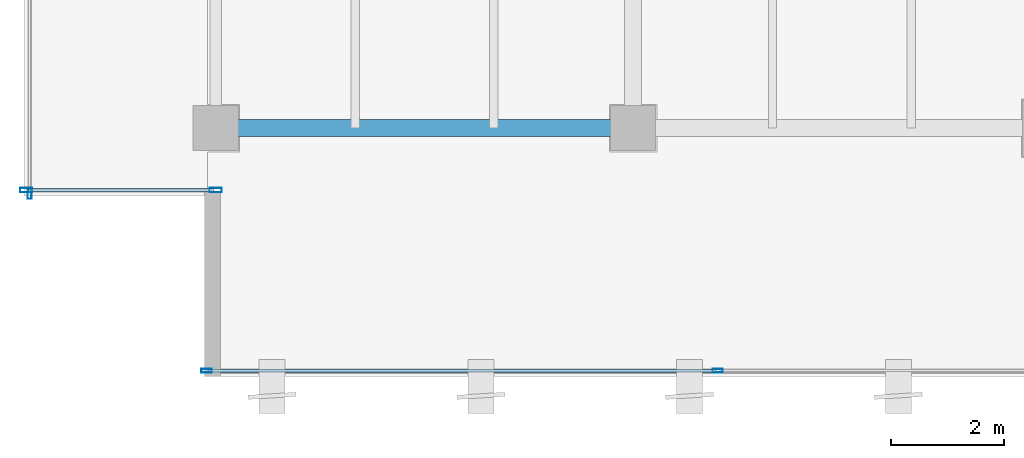
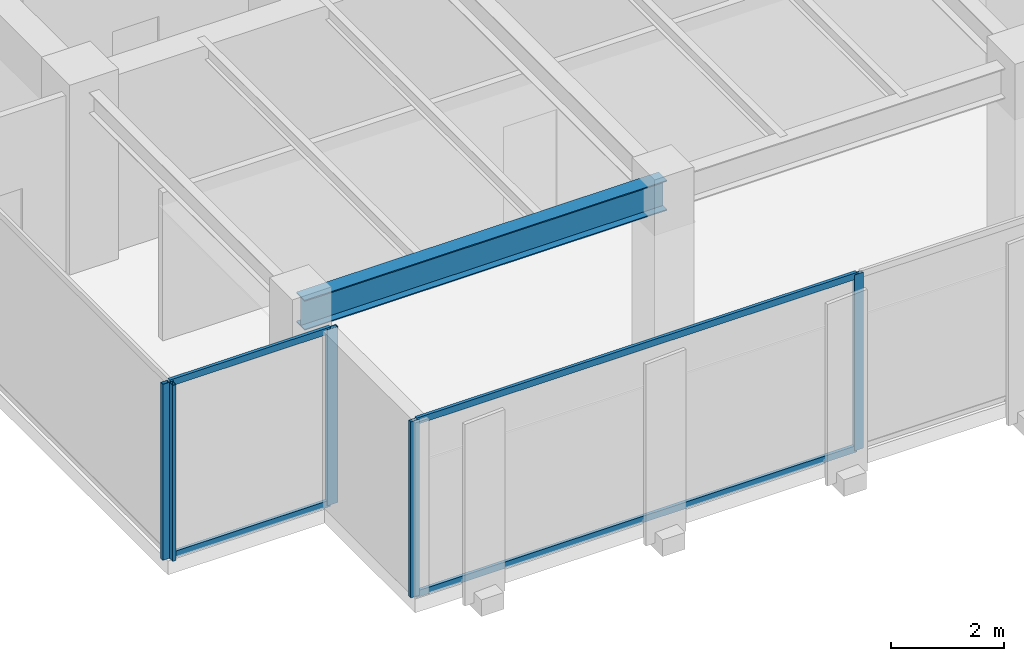
# One storey, part 5 of 35: 9 members, 1 beam, 3 elements without a shape of their own.
"""IFC4 building model written with IfcOpenShell, lengths in metres."""

from ifc_helpers import new_model, si_unit, direction, frame, origin, origin_2d, place, context, subcontext, project, spatial, hollow_rectangle, i_section, extrude, source, transform, mapped, material, layer, layer_set, material_profile, profile_set, type_object, type_shapes, element, aggregate, save


model = new_model("IFC4")

# Units and contexts
model_context = context("Model", 3, precision=1e-05, world=origin(), true_north=direction((0.0, 1.0)))
body_context = subcontext(model_context, "Body", "Model", "MODEL_VIEW")
ifc_project = project(units=[si_unit("LENGTHUNIT", "METRE"), si_unit("AREAUNIT", "SQUARE_METRE"), si_unit("VOLUMEUNIT", "CUBIC_METRE"), si_unit("PLANEANGLEUNIT", "RADIAN"), si_unit("MASSUNIT", "GRAM", prefix="KILO")], contexts=[model_context])

# Site, building, storey
site_placement = place(None, origin())
site = spatial("IfcSite", under=ifc_project, at=site_placement, CompositionType="ELEMENT")
building_placement = place(site_placement, origin())
building = spatial("IfcBuilding", under=site, at=building_placement, Name="Haelvirn Gate Laboratories", CompositionType="ELEMENT")
storey_placement = place(building_placement, frame((0.0, 0.0, 201.39990234375)))
storey = spatial("IfcBuildingStorey", under=building, at=storey_placement, Name="L48", CompositionType="ELEMENT", Elevation=201.39990234375)

# Beam
ifc_material_1 = material(Name="Steel SM355", Category="steel")
ifc_material_profile_1 = material_profile(ifc_material_1, i_section(OverallWidth=0.300048828125, OverallDepth=0.64990234375, WebThickness=0.012939453125, FlangeThickness=0.02197265625, at=origin_2d()), Name="H-650x300x13x22")
ifc_profile_set_1 = profile_set([ifc_material_profile_1], Name="Steel SM355")
beam_type = type_object("IfcBeamType", Name="BM-G-650", PredefinedType="BEAM", material=ifc_profile_set_1)
shared_shape_1 = source(origin(), body_context, "Body", "SweptSolid", [
    extrude(i_section(OverallWidth=0.300048828125, OverallDepth=0.64990234375, WebThickness=0.012939453125, FlangeThickness=0.02197265625, at=origin_2d()), origin(), (0.0, 0.0, 1.0), 7.400146484375),
])
type_shapes(beam_type, [shared_shape_1])
beam_placement = place(storey_placement, frame((7.39990234375, 7.0, 3.47509765625), z_axis=(1.0, 0.0, 0.0), x_axis=(0.0, 1.0, 0.0)))
element("IfcBeam", 1, at=beam_placement, inside=storey, type_object=beam_type, Name="L48 Primary Girder Y7.0 (7.4-14.8)", PredefinedType="BEAM", context=body_context, shape_type="MappedRepresentation", body=[
    mapped(shared_shape_1, transform((0.0, 0.0, 0.0), scale=1.0)),
])

# Curtain wall, members
ifc_material_2 = material(Name="Anodised bronze unitised aluminium & triple low-E glass", Category="aluminium")
ifc_layer_1 = layer(ifc_material_2, 0.181884765625, Name="CW-SYS-5")
ifc_layer_set_1 = layer_set([ifc_layer_1], Name="Anodised bronze unitised aluminium & triple low-E glass")
curtain_wall_type_1 = type_object("IfcCurtainWallType", Name="CW-SYS-5", PredefinedType="NOTDEFINED", material=ifc_layer_set_1)
curtain_wall_1_placement = place(storey_placement, origin())
curtain_wall_1 = element("IfcCurtainWall", 2, at=curtain_wall_1_placement, inside=storey, type_object=curtain_wall_type_1, Name="L48 Unitised Curtain Wall CW-L48-P0-E18-1", PredefinedType="NOTDEFINED")
ifc_material_3 = material(Name="Extruded aluminium 6063-T6 (anodised bronze)", Category="aluminium")
ifc_material_profile_2 = material_profile(ifc_material_3, hollow_rectangle(XDim=0.06494140625, YDim=0.139892578125, WallThickness=0.00390625, at=origin_2d()), Name="CWT-140x65x4")
ifc_profile_set_2 = profile_set([ifc_material_profile_2], Name="Extruded aluminium 6063-T6 (anodised bronze)")
member_type_1 = type_object("IfcMemberType", Name="CWT-T140", PredefinedType="USERDEFINED", material=ifc_profile_set_2)
shared_shape_2 = source(origin(), body_context, "Body", "SweptSolid", [
    extrude(hollow_rectangle(XDim=0.06494140625, YDim=0.139892578125, WallThickness=0.00390625, at=origin_2d()), origin(), (0.0, 0.0, 1.0), 3.280029296875),
])
member_1_placement = place(storey_placement, frame((4.080078125, 5.89990234375, 0.03271484375), z_axis=(1.0, 0.0, 0.0), x_axis=(0.0, 1.0, 0.0)))
member_1 = element("IfcMember", 3, at=member_1_placement, type_object=member_type_1, Name="CW5 transom 1.1", ObjectType="TRANSOM", PredefinedType="USERDEFINED", context=body_context, shape_type="MappedRepresentation", body=[
    mapped(shared_shape_2, transform((0.0, 0.0, 0.0), scale=1.0)),
])
member_2_placement = place(storey_placement, frame((4.080078125, 5.89990234375, 3.767578125), z_axis=(1.0, 0.0, 0.0), x_axis=(0.0, 1.0, 0.0)))
member_2 = element("IfcMember", 4, at=member_2_placement, type_object=member_type_1, Name="CW5 transom 1.2", ObjectType="TRANSOM", PredefinedType="USERDEFINED", context=body_context, shape_type="MappedRepresentation", body=[
    mapped(shared_shape_2, transform((0.0, 0.0, 0.0), scale=1.0)),
])

ifc_layer_2 = layer(ifc_material_2, 0.176025390625, Name="CW-SYS-4")
ifc_layer_set_2 = layer_set([ifc_layer_2], Name="Anodised bronze unitised aluminium & triple low-E glass")
curtain_wall_type_2 = type_object("IfcCurtainWallType", Name="CW-SYS-4", PredefinedType="NOTDEFINED", material=ifc_layer_set_2)
curtain_wall_2_placement = place(storey_placement, origin())
curtain_wall_2 = element("IfcCurtainWall", 5, at=curtain_wall_2_placement, inside=storey, type_object=curtain_wall_type_2, Name="L48 Unitised Curtain Wall CW-L48-P0-E00-1", PredefinedType="NOTDEFINED")
ifc_material_profile_3 = material_profile(ifc_material_3, hollow_rectangle(XDim=0.070068359375, YDim=0.179931640625, WallThickness=0.0048828125, at=origin_2d()), Name="CWM-180x70x5")
ifc_profile_set_3 = profile_set([ifc_material_profile_3], Name="Extruded aluminium 6063-T6 (anodised bronze)")
member_type_2 = type_object("IfcMemberType", Name="CWM-T180", PredefinedType="MULLION", material=ifc_profile_set_3)
shared_shape_3 = source(origin(), body_context, "Body", "SweptSolid", [
    extrude(hollow_rectangle(XDim=0.070068359375, YDim=0.179931640625, WallThickness=0.0048828125, at=origin_2d()), origin(), (0.0, 0.0, 1.0), 3.800048828125),
])
type_shapes(member_type_2, [shared_shape_3])
member_3_placement = place(storey_placement, frame((7.235107421875, 2.699951171875, 0.0), z_axis=(0.0, 0.0, 1.0), x_axis=(0.0, 1.0, 0.0)))
member_3 = element("IfcMember", 6, at=member_3_placement, type_object=member_type_2, Name="CW4 mullion 1", PredefinedType="MULLION", context=body_context, shape_type="MappedRepresentation", body=[
    mapped(shared_shape_3, transform((0.0, 0.0, 0.0), scale=1.0)),
])
member_4_placement = place(storey_placement, frame((16.300048828125, 2.699951171875, 0.0), z_axis=(0.0, 0.0, 1.0), x_axis=(0.0, 1.0, 0.0)))
member_4 = element("IfcMember", 7, at=member_4_placement, type_object=member_type_2, Name="CW4 mullion 2", PredefinedType="MULLION", context=body_context, shape_type="MappedRepresentation", body=[
    mapped(shared_shape_3, transform((0.0, 0.0, 0.0), scale=1.0)),
])

# Curtain wall, member
curtain_wall_3_placement = place(storey_placement, origin())
curtain_wall_3 = element("IfcCurtainWall", 8, at=curtain_wall_3_placement, inside=storey, type_object=curtain_wall_type_2, Name="L48 Unitised Curtain Wall CW-L48-P0-E17", PredefinedType="NOTDEFINED")
member_5_placement = place(storey_placement, frame((4.10009765625, 5.8349609375, 0.0), z_axis=(0.0, 0.0, 1.0), x_axis=(1.0, 0.0, 0.0)))
member_5 = element("IfcMember", 9, at=member_5_placement, type_object=member_type_2, Name="CW4 mullion 3", PredefinedType="MULLION", context=body_context, shape_type="MappedRepresentation", body=[
    mapped(shared_shape_3, transform((0.0, 0.0, 0.0), scale=1.0)),
])
aggregate(curtain_wall_3, [member_5])

# Member
shared_shape_4 = source(origin(), body_context, "Body", "SweptSolid", [
    extrude(hollow_rectangle(XDim=0.06494140625, YDim=0.139892578125, WallThickness=0.00390625, at=origin_2d()), origin(), (0.0, 0.0, 1.0), 8.994873046875),
])
type_shapes(member_type_1, [shared_shape_2, shared_shape_4])
member_6_placement = place(storey_placement, frame((7.27001953125, 2.699951171875, 0.03271484375), z_axis=(1.0, 0.0, 0.0), x_axis=(0.0, 1.0, 0.0)))
member_6 = element("IfcMember", 10, at=member_6_placement, type_object=member_type_1, Name="CW4 transom 1.1", ObjectType="TRANSOM", PredefinedType="USERDEFINED", context=body_context, shape_type="MappedRepresentation", body=[
    mapped(shared_shape_4, transform((0.0, 0.0, 0.0), scale=1.0)),
])

member_7_placement = place(storey_placement, frame((7.27001953125, 2.699951171875, 3.767578125), z_axis=(1.0, 0.0, 0.0), x_axis=(0.0, 1.0, 0.0)))
member_7 = element("IfcMember", 11, at=member_7_placement, type_object=member_type_1, Name="CW4 transom 1.2", ObjectType="TRANSOM", PredefinedType="USERDEFINED", context=body_context, shape_type="MappedRepresentation", body=[
    mapped(shared_shape_4, transform((0.0, 0.0, 0.0), scale=1.0)),
])

aggregate(curtain_wall_2, [member_3, member_4, member_6, member_7])

ifc_material_profile_4 = material_profile(ifc_material_3, hollow_rectangle(XDim=0.080078125, YDim=0.219970703125, WallThickness=0.006103515625, at=origin_2d()), Name="CWM-220x80x6")
ifc_profile_set_4 = profile_set([ifc_material_profile_4], Name="Extruded aluminium 6063-T6 (anodised bronze)")
member_type_3 = type_object("IfcMemberType", Name="CWM-T220", PredefinedType="MULLION", material=ifc_profile_set_4)
shared_shape_5 = source(origin(), body_context, "Body", "SweptSolid", [
    extrude(hollow_rectangle(XDim=0.080078125, YDim=0.219970703125, WallThickness=0.006103515625, at=origin_2d()), origin(), (0.0, 0.0, 1.0), 3.800048828125),
])
type_shapes(member_type_3, [shared_shape_5])
member_8_placement = place(storey_placement, frame((4.0400390625, 5.89990234375, 0.0), z_axis=(0.0, 0.0, 1.0), x_axis=(0.0, 1.0, 0.0)))
member_8 = element("IfcMember", 12, at=member_8_placement, type_object=member_type_3, Name="CW5 mullion 1", PredefinedType="MULLION", context=body_context, shape_type="MappedRepresentation", body=[
    mapped(shared_shape_5, transform((0.0, 0.0, 0.0), scale=1.0)),
])

member_9_placement = place(storey_placement, frame((7.39990234375, 5.89990234375, 0.0), z_axis=(0.0, 0.0, 1.0), x_axis=(0.0, 1.0, 0.0)))
member_9 = element("IfcMember", 13, at=member_9_placement, type_object=member_type_3, Name="CW5 mullion 2", PredefinedType="MULLION", context=body_context, shape_type="MappedRepresentation", body=[
    mapped(shared_shape_5, transform((0.0, 0.0, 0.0), scale=1.0)),
])

aggregate(curtain_wall_1, [member_8, member_9, member_1, member_2])

save(model, "model.ifc")
